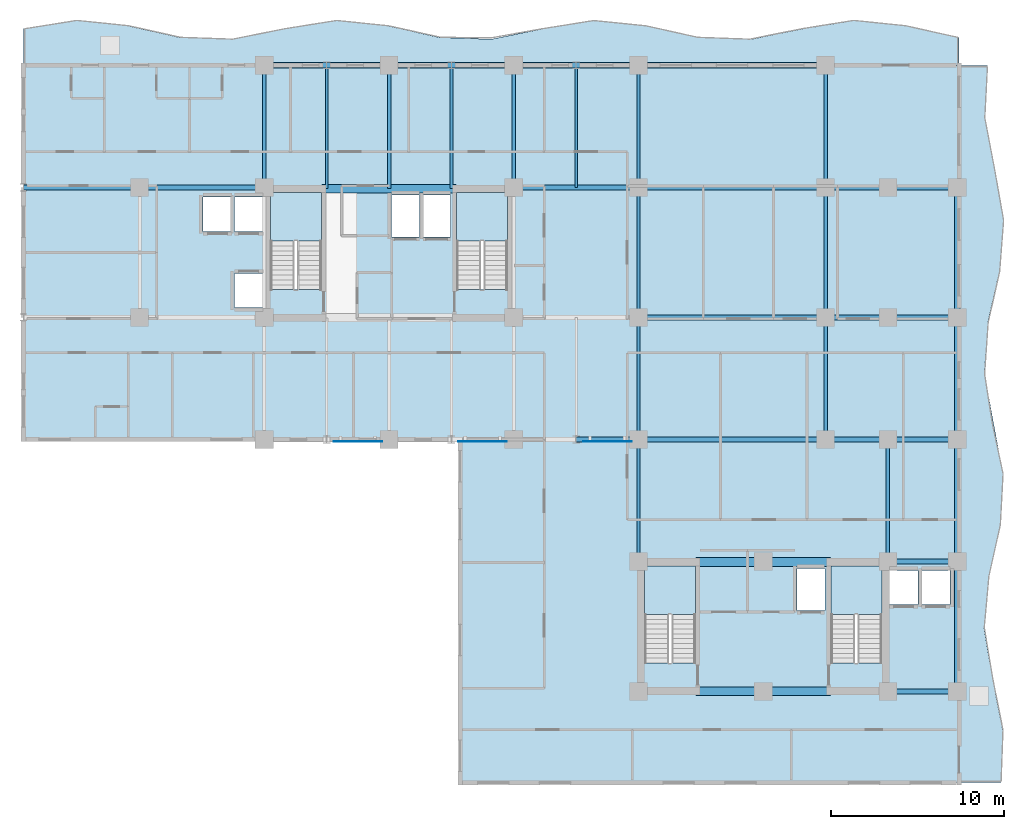
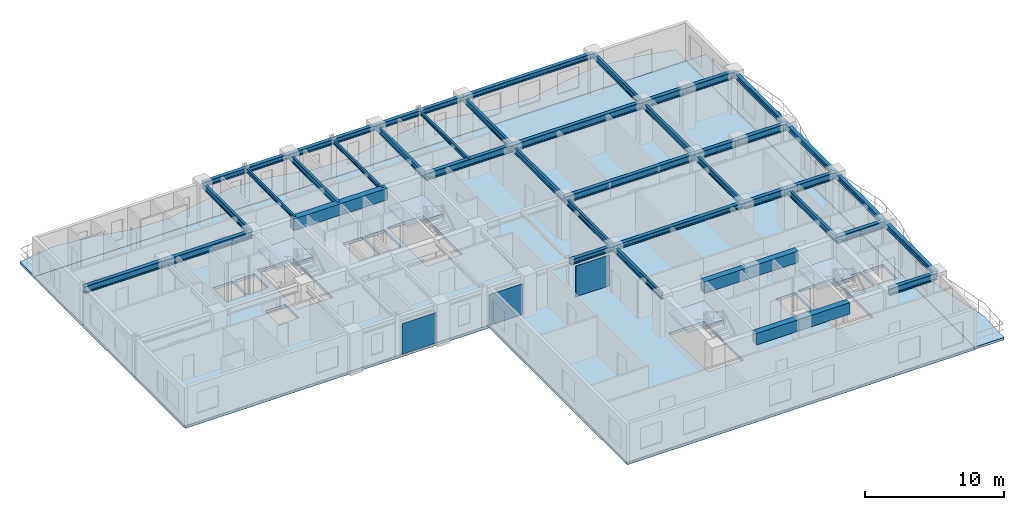
# One storey, part 3 of 13: 43 beams, 7 slabs, 3 plates, 4 elements without a shape of their own.
"""IFC4 building model written with IfcOpenShell, lengths in metres."""

from ifc_helpers import new_model, si_unit, direction, frame, origin, origin_2d, place, context, subcontext, project, spatial, polyline, rectangle, i_section, outline, extrude, source, transform, mapped, material, layer, layer_set, material_profile, profile_set, type_object, element, aggregate, save


model = new_model("IFC4")

# Units and contexts
model_context = context("Model", 3, precision=1e-05, world=origin(), true_north=direction((0.0, 1.0)))
body_context = subcontext(model_context, "Body", "Model", "MODEL_VIEW")
ifc_project = project(units=[si_unit("LENGTHUNIT", "METRE"), si_unit("AREAUNIT", "SQUARE_METRE"), si_unit("VOLUMEUNIT", "CUBIC_METRE"), si_unit("PLANEANGLEUNIT", "RADIAN"), si_unit("MASSUNIT", "GRAM", prefix="KILO")], contexts=[model_context])

# Site, building, storey
site_placement = place(None, origin())
site = spatial("IfcSite", under=ifc_project, at=site_placement, CompositionType="ELEMENT")
building_placement = place(site_placement, origin())
building = spatial("IfcBuilding", under=site, at=building_placement, Name="Kaliganga Portal Commons", CompositionType="ELEMENT")
storey_placement = place(building_placement, frame((0.0, 0.0, 158.699951171875)))
storey = spatial("IfcBuildingStorey", under=building, at=storey_placement, Name="L40", CompositionType="ELEMENT", Elevation=158.699951171875)

# Beams
ifc_material_1 = material(Name="Concrete C50/60", Category="concrete")
ifc_material_profile_1 = material_profile(ifc_material_1, rectangle(XDim=0.5, YDim=1.0, at=origin_2d()), Name="RC 500x1000")
ifc_profile_set_1 = profile_set([ifc_material_profile_1], Name="Concrete C50/60")
beam_type_1 = type_object("IfcBeamType", Name="BM-CPL-1000", PredefinedType="LINTEL", material=ifc_profile_set_1)
shared_shape_1 = source(origin(), body_context, "Body", "SweptSolid", [
    extrude(rectangle(XDim=0.5, YDim=1.0, at=origin_2d()), origin(), (0.0, 0.0, 1.0), 7.739990234375),
])
for number, where, z_axis, x_axis, name in (
    (1, (17.72998046875, 36.074951171875, 2.9599609375), (1.0, 0.0, 0.0), (0.0, 1.0, 0.0), "BM CPL COREA L40 N"),
    (2, (39.330078125, 7.074951171875, 2.9599609375), (1.0, 0.0, 0.0), (0.0, 1.0, 0.0), "BM CPL COREB L40 S"),
    (3, (39.330078125, 14.52490234375, 2.9599609375), (1.0, 0.0, 0.0), (0.0, 1.0, 0.0), "BM CPL COREB L40 N"),
):
    element("IfcBeam", number, at=place(storey_placement, frame(where, z_axis=z_axis, x_axis=x_axis)), inside=storey, type_object=beam_type_1, Name=name, PredefinedType="LINTEL", context=body_context, shape_type="MappedRepresentation", body=[
        mapped(shared_shape_1, transform((0.0, 0.0, 0.0), x_axis=(1.0, 0.0, 0.0), y_axis=(0.0, 1.0, 0.0), z_axis=(0.0, 0.0, 1.0), scale=1.0)),
    ])
ifc_material_2 = material(Name="Structural steel S355J2", Category="steel")
ifc_material_profile_2 = material_profile(ifc_material_2, i_section(OverallWidth=0.199951171875, OverallDepth=0.5, WebThickness=0.01025390625, FlangeThickness=0.01611328125, FilletRadius=0.02099609375, at=origin_2d()), Name="IPE 500")
ifc_profile_set_2 = profile_set([ifc_material_profile_2], Name="Structural steel S355J2 wide-flange")
beam_type_2 = type_object("IfcBeamType", Name="BM-FLR-500", PredefinedType="BEAM", material=ifc_profile_set_2)
shared_shape_2 = source(origin(), body_context, "Body", "SweptSolid", [
    extrude(i_section(OverallWidth=0.199951171875, OverallDepth=0.5, WebThickness=0.01025390625, FlangeThickness=0.01611328125, FilletRadius=0.02099609375, at=origin_2d()), origin(), (0.0, 0.0, 1.0), 7.5),
])
for number, where, z_axis, x_axis, name in (
    (4, (36.0, 28.64990234375, 3.2099609375), (0.0, 1.0, 0.0), (-1.0, 0.0, 0.0), "BM G L40 AM360"),
    (5, (46.800048828125, 28.64990234375, 3.2099609375), (0.0, 1.0, 0.0), (-1.0, 0.0, 0.0), "BM G L40 AM468"),
):
    element("IfcBeam", number, at=place(storey_placement, frame(where, z_axis=z_axis, x_axis=x_axis)), inside=storey, type_object=beam_type_2, Name=name, PredefinedType="BEAM", context=body_context, shape_type="MappedRepresentation", body=[
        mapped(shared_shape_2, transform((0.0, 0.0, 0.0), x_axis=(1.0, 0.0, 0.0), y_axis=(0.0, 1.0, 0.0), z_axis=(0.0, 0.0, 1.0), scale=1.0)),
    ])
shared_shape_3 = source(origin(), body_context, "Body", "SweptSolid", [
    extrude(i_section(OverallWidth=0.199951171875, OverallDepth=0.5, WebThickness=0.01025390625, FlangeThickness=0.01611328125, FilletRadius=0.02099609375, at=origin_2d()), origin(), (0.0, 0.0, 1.0), 7.050048828125),
])
for number, where, z_axis, x_axis, name in (
    (6, (14.39990234375, 36.14990234375, 3.2099609375), (0.0, 1.0, 0.0), (-1.0, 0.0, 0.0), "BM G L40 AN144"),
    (7, (28.800048828125, 36.14990234375, 3.2099609375), (0.0, 1.0, 0.0), (-1.0, 0.0, 0.0), "BM G L40 AN288"),
    (8, (36.0, 36.14990234375, 3.2099609375), (0.0, 1.0, 0.0), (-1.0, 0.0, 0.0), "BM G L40 AN360"),
    (9, (46.800048828125, 36.14990234375, 3.2099609375), (0.0, 1.0, 0.0), (-1.0, 0.0, 0.0), "BM G L40 AN468"),
    (10, (36.0, 14.550048828125, 3.2099609375), (0.0, 1.0, 0.0), (-1.0, 0.0, 0.0), "BM G L40 BNK360"),
    (11, (50.39990234375, 14.550048828125, 3.2099609375), (0.0, 1.0, 0.0), (-1.0, 0.0, 0.0), "BM G L40 BNK504"),
):
    element("IfcBeam", number, at=place(storey_placement, frame(where, z_axis=z_axis, x_axis=x_axis)), inside=storey, type_object=beam_type_2, Name=name, PredefinedType="BEAM", context=body_context, shape_type="MappedRepresentation", body=[
        mapped(shared_shape_3, transform((0.0, 0.0, 0.0), x_axis=(1.0, 0.0, 0.0), y_axis=(0.0, 1.0, 0.0), z_axis=(0.0, 0.0, 1.0), scale=1.0)),
    ])
shared_shape_4 = source(origin(), body_context, "Body", "SweptSolid", [
    extrude(i_section(OverallWidth=0.199951171875, OverallDepth=0.5, WebThickness=0.01025390625, FlangeThickness=0.01611328125, FilletRadius=0.02099609375, at=origin_2d()), origin(), (0.0, 0.0, 1.0), 7.0498046875),
])
for number, where, z_axis, x_axis, name in (
    (12, (36.0, 21.60009765625, 3.2099609375), (0.0, 1.0, 0.0), (-1.0, 0.0, 0.0), "BM G L40 AS360"),
    (13, (46.800048828125, 21.60009765625, 3.2099609375), (0.0, 1.0, 0.0), (-1.0, 0.0, 0.0), "BM G L40 AS468"),
):
    element("IfcBeam", number, at=place(storey_placement, frame(where, z_axis=z_axis, x_axis=x_axis)), inside=storey, type_object=beam_type_2, Name=name, PredefinedType="BEAM", context=body_context, shape_type="MappedRepresentation", body=[
        mapped(shared_shape_4, transform((0.0, 0.0, 0.0), x_axis=(1.0, 0.0, 0.0), y_axis=(0.0, 1.0, 0.0), z_axis=(0.0, 0.0, 1.0), scale=1.0)),
    ])
ifc_material_profile_3 = material_profile(ifc_material_2, i_section(OverallWidth=0.300048828125, OverallDepth=0.449951171875, WebThickness=0.013916015625, FlangeThickness=0.02587890625, FilletRadius=0.027099609375, at=origin_2d()), Name="HE 450 B")
ifc_profile_set_3 = profile_set([ifc_material_profile_3], Name="Structural steel S355J2 wide-flange")
beam_type_3 = type_object("IfcBeamType", Name="BM-SPAND-450", PredefinedType="SPANDREL", material=ifc_profile_set_3)
shared_shape_5 = source(origin(), body_context, "Body", "SweptSolid", [
    extrude(i_section(OverallWidth=0.300048828125, OverallDepth=0.449951171875, WebThickness=0.013916015625, FlangeThickness=0.02587890625, FilletRadius=0.027099609375, at=origin_2d()), origin(), (0.0, 0.0, 1.0), 3.60009765625),
])
for number, where, z_axis, x_axis, name in (
    (14, (14.39990234375, 43.199951171875, 3.235107421875), (1.0, 0.0, 0.0), (0.0, 1.0, 0.0), "BM SP L40 AN 1"),
    (15, (18.0, 43.199951171875, 3.235107421875), (1.0, 0.0, 0.0), (0.0, 1.0, 0.0), "BM SP L40 AN 2"),
    (16, (25.199951171875, 43.199951171875, 3.235107421875), (1.0, 0.0, 0.0), (0.0, 1.0, 0.0), "BM SP L40 AN 4"),
    (17, (32.39990234375, 43.199951171875, 3.235107421875), (1.0, 0.0, 0.0), (0.0, 1.0, 0.0), "BM SP L40 AN 6"),
    (18, (32.39990234375, 21.60009765625, 3.235107421875), (1.0, 0.0, 0.0), (0.0, 1.0, 0.0), "BM SP L40 AS 6"),
):
    element("IfcBeam", number, at=place(storey_placement, frame(where, z_axis=z_axis, x_axis=x_axis)), inside=storey, type_object=beam_type_3, Name=name, PredefinedType="SPANDREL", context=body_context, shape_type="MappedRepresentation", body=[
        mapped(shared_shape_5, transform((0.0, 0.0, 0.0), x_axis=(1.0, 0.0, 0.0), y_axis=(0.0, 1.0, 0.0), z_axis=(0.0, 0.0, 1.0), scale=1.0)),
    ])
shared_shape_6 = source(origin(), body_context, "Body", "SweptSolid", [
    extrude(i_section(OverallWidth=0.300048828125, OverallDepth=0.449951171875, WebThickness=0.013916015625, FlangeThickness=0.02587890625, FilletRadius=0.027099609375, at=origin_2d()), origin(), (0.0, 0.0, 1.0), 3.599853515625),
])
for number, where, z_axis, x_axis, name in (
    (19, (21.60009765625, 43.199951171875, 3.235107421875), (1.0, 0.0, 0.0), (0.0, 1.0, 0.0), "BM SP L40 AN 3"),
    (20, (28.800048828125, 43.199951171875, 3.235107421875), (1.0, 0.0, 0.0), (0.0, 1.0, 0.0), "BM SP L40 AN 5"),
):
    element("IfcBeam", number, at=place(storey_placement, frame(where, z_axis=z_axis, x_axis=x_axis)), inside=storey, type_object=beam_type_3, Name=name, PredefinedType="SPANDREL", context=body_context, shape_type="MappedRepresentation", body=[
        mapped(shared_shape_6, transform((0.0, 0.0, 0.0), x_axis=(1.0, 0.0, 0.0), y_axis=(0.0, 1.0, 0.0), z_axis=(0.0, 0.0, 1.0), scale=1.0)),
    ])
shared_shape_7 = source(origin(), body_context, "Body", "SweptSolid", [
    extrude(i_section(OverallWidth=0.300048828125, OverallDepth=0.449951171875, WebThickness=0.013916015625, FlangeThickness=0.02587890625, FilletRadius=0.027099609375, at=origin_2d()), origin(), (0.0, 0.0, 1.0), 10.800048828125),
])
for number, where, z_axis, x_axis, name in (
    (21, (36.0, 43.199951171875, 3.235107421875), (1.0, 0.0, 0.0), (0.0, 1.0, 0.0), "BM SP L40 AN 7"),
    (22, (36.0, 21.60009765625, 3.235107421875), (1.0, 0.0, 0.0), (0.0, 1.0, 0.0), "BM SP L40 AS 7"),
):
    element("IfcBeam", number, at=place(storey_placement, frame(where, z_axis=z_axis, x_axis=x_axis)), inside=storey, type_object=beam_type_3, Name=name, PredefinedType="SPANDREL", context=body_context, shape_type="MappedRepresentation", body=[
        mapped(shared_shape_7, transform((0.0, 0.0, 0.0), x_axis=(1.0, 0.0, 0.0), y_axis=(0.0, 1.0, 0.0), z_axis=(0.0, 0.0, 1.0), scale=1.0)),
    ])
ifc_material_profile_4 = material_profile(ifc_material_2, i_section(OverallWidth=0.159912109375, OverallDepth=0.330078125, WebThickness=0.007568359375, FlangeThickness=0.011474609375, FilletRadius=0.01806640625, at=origin_2d()), Name="IPE 330")
ifc_profile_set_4 = profile_set([ifc_material_profile_4], Name="Structural steel S355J2 wide-flange")
beam_type_4 = type_object("IfcBeamType", Name="BM-JST-330", PredefinedType="JOIST", material=ifc_profile_set_4)
shared_shape_8 = source(origin(), body_context, "Body", "SweptSolid", [
    extrude(i_section(OverallWidth=0.159912109375, OverallDepth=0.330078125, WebThickness=0.007568359375, FlangeThickness=0.011474609375, FilletRadius=0.01806640625, at=origin_2d()), origin(), (0.0, 0.0, 1.0), 7.050048828125),
])
beam_1_placement = place(storey_placement, frame((32.39990234375, 36.14990234375, 3.295166015625), z_axis=(0.0, 1.0, 0.0), x_axis=(-1.0, 0.0, 0.0)))
element("IfcBeam", 23, at=beam_1_placement, inside=storey, type_object=beam_type_4, Name="BM G L40 AN324", PredefinedType="JOIST", context=body_context, shape_type="MappedRepresentation", body=[
    mapped(shared_shape_8, transform((0.0, 0.0, 0.0), x_axis=(1.0, 0.0, 0.0), y_axis=(0.0, 1.0, 0.0), z_axis=(0.0, 0.0, 1.0), scale=1.0)),
])
shared_shape_9 = source(origin(), body_context, "Body", "SweptSolid", [
    extrude(i_section(OverallWidth=0.300048828125, OverallDepth=0.449951171875, WebThickness=0.013916015625, FlangeThickness=0.02587890625, FilletRadius=0.027099609375, at=origin_2d()), origin(), (0.0, 0.0, 1.0), 7.5),
])
for number, where, z_axis, x_axis, name in (
    (24, (54.39990234375, 7.050048828125, 3.235107421875), (0.0, 1.0, 0.0), (-1.0, 0.0, 0.0), "BM SP L40 BE 1"),
    (25, (54.39990234375, 28.64990234375, 3.235107421875), (0.0, 1.0, 0.0), (-1.0, 0.0, 0.0), "BM SP L40 BE 4"),
):
    element("IfcBeam", number, at=place(storey_placement, frame(where, z_axis=z_axis, x_axis=x_axis)), inside=storey, type_object=beam_type_3, Name=name, PredefinedType="SPANDREL", context=body_context, shape_type="MappedRepresentation", body=[
        mapped(shared_shape_9, transform((0.0, 0.0, 0.0), x_axis=(1.0, 0.0, 0.0), y_axis=(0.0, 1.0, 0.0), z_axis=(0.0, 0.0, 1.0), scale=1.0)),
    ])
shared_shape_10 = source(origin(), body_context, "Body", "SweptSolid", [
    extrude(i_section(OverallWidth=0.300048828125, OverallDepth=0.449951171875, WebThickness=0.013916015625, FlangeThickness=0.02587890625, FilletRadius=0.027099609375, at=origin_2d()), origin(), (0.0, 0.0, 1.0), 7.050048828125),
])
beam_2_placement = place(storey_placement, frame((54.39990234375, 14.550048828125, 3.235107421875), z_axis=(0.0, 1.0, 0.0), x_axis=(-1.0, 0.0, 0.0)))
element("IfcBeam", 26, at=beam_2_placement, inside=storey, type_object=beam_type_3, Name="BM SP L40 BE 2", PredefinedType="SPANDREL", context=body_context, shape_type="MappedRepresentation", body=[
    mapped(shared_shape_10, transform((0.0, 0.0, 0.0), x_axis=(1.0, 0.0, 0.0), y_axis=(0.0, 1.0, 0.0), z_axis=(0.0, 0.0, 1.0), scale=1.0)),
])
shared_shape_11 = source(origin(), body_context, "Body", "SweptSolid", [
    extrude(i_section(OverallWidth=0.300048828125, OverallDepth=0.449951171875, WebThickness=0.013916015625, FlangeThickness=0.02587890625, FilletRadius=0.027099609375, at=origin_2d()), origin(), (0.0, 0.0, 1.0), 7.0498046875),
])
beam_3_placement = place(storey_placement, frame((54.39990234375, 21.60009765625, 3.235107421875), z_axis=(0.0, 1.0, 0.0), x_axis=(-1.0, 0.0, 0.0)))
element("IfcBeam", 27, at=beam_3_placement, inside=storey, type_object=beam_type_3, Name="BM SP L40 BE 3", PredefinedType="SPANDREL", context=body_context, shape_type="MappedRepresentation", body=[
    mapped(shared_shape_11, transform((0.0, 0.0, 0.0), x_axis=(1.0, 0.0, 0.0), y_axis=(0.0, 1.0, 0.0), z_axis=(0.0, 0.0, 1.0), scale=1.0)),
])
ifc_material_profile_5 = material_profile(ifc_material_2, i_section(OverallWidth=0.300048828125, OverallDepth=0.60009765625, WebThickness=0.015380859375, FlangeThickness=0.030029296875, FilletRadius=0.027099609375, at=origin_2d()), Name="HE 600 B")
ifc_profile_set_5 = profile_set([ifc_material_profile_5], Name="Structural steel S355J2 wide-flange")
beam_type_5 = type_object("IfcBeamType", Name="BM-GIRD-600", PredefinedType="USERDEFINED", material=ifc_profile_set_5)
shared_shape_12 = source(origin(), body_context, "Body", "SweptSolid", [
    extrude(i_section(OverallWidth=0.300048828125, OverallDepth=0.60009765625, WebThickness=0.015380859375, FlangeThickness=0.030029296875, FilletRadius=0.027099609375, at=origin_2d()), origin(), (0.0, 0.0, 1.0), 6.699951171875),
])
beam_4_placement = place(storey_placement, frame((0.5, 36.14990234375, 3.16015625), z_axis=(1.0, 0.0, 0.0), x_axis=(0.0, 1.0, 0.0)))
element("IfcBeam", 28, at=beam_4_placement, inside=storey, type_object=beam_type_5, Name="BM G L40 WAH_N 1", ObjectType="GIRDER", PredefinedType="USERDEFINED", context=body_context, shape_type="MappedRepresentation", body=[
    mapped(shared_shape_12, transform((0.0, 0.0, 0.0), x_axis=(1.0, 0.0, 0.0), y_axis=(0.0, 1.0, 0.0), z_axis=(0.0, 0.0, 1.0), scale=1.0)),
])
shared_shape_13 = source(origin(), body_context, "Body", "SweptSolid", [
    extrude(i_section(OverallWidth=0.300048828125, OverallDepth=0.60009765625, WebThickness=0.015380859375, FlangeThickness=0.030029296875, FilletRadius=0.027099609375, at=origin_2d()), origin(), (0.0, 0.0, 1.0), 7.199951171875),
])
for number, where, z_axis, x_axis, name in (
    (29, (7.199951171875, 36.14990234375, 3.16015625), (1.0, 0.0, 0.0), (0.0, 1.0, 0.0), "BM G L40 WAH_N 2"),
    (30, (28.800048828125, 36.14990234375, 3.16015625), (1.0, 0.0, 0.0), (0.0, 1.0, 0.0), "BM G L40 WAE_N 1"),
):
    element("IfcBeam", number, at=place(storey_placement, frame(where, z_axis=z_axis, x_axis=x_axis)), inside=storey, type_object=beam_type_5, Name=name, ObjectType="GIRDER", PredefinedType="USERDEFINED", context=body_context, shape_type="MappedRepresentation", body=[
        mapped(shared_shape_13, transform((0.0, 0.0, 0.0), x_axis=(1.0, 0.0, 0.0), y_axis=(0.0, 1.0, 0.0), z_axis=(0.0, 0.0, 1.0), scale=1.0)),
    ])
shared_shape_14 = source(origin(), body_context, "Body", "SweptSolid", [
    extrude(i_section(OverallWidth=0.300048828125, OverallDepth=0.60009765625, WebThickness=0.015380859375, FlangeThickness=0.030029296875, FilletRadius=0.027099609375, at=origin_2d()), origin(), (0.0, 0.0, 1.0), 10.800048828125),
])
for number, where, z_axis, x_axis, name in (
    (31, (36.0, 28.64990234375, 3.16015625), (1.0, 0.0, 0.0), (0.0, 1.0, 0.0), "BM G L40 WAE_S 2"),
    (32, (36.0, 36.14990234375, 3.16015625), (1.0, 0.0, 0.0), (0.0, 1.0, 0.0), "BM G L40 WAE_N 2"),
):
    element("IfcBeam", number, at=place(storey_placement, frame(where, z_axis=z_axis, x_axis=x_axis)), inside=storey, type_object=beam_type_5, Name=name, ObjectType="GIRDER", PredefinedType="USERDEFINED", context=body_context, shape_type="MappedRepresentation", body=[
        mapped(shared_shape_14, transform((0.0, 0.0, 0.0), x_axis=(1.0, 0.0, 0.0), y_axis=(0.0, 1.0, 0.0), z_axis=(0.0, 0.0, 1.0), scale=1.0)),
    ])
shared_shape_15 = source(origin(), body_context, "Body", "SweptSolid", [
    extrude(i_section(OverallWidth=0.159912109375, OverallDepth=0.330078125, WebThickness=0.007568359375, FlangeThickness=0.011474609375, FilletRadius=0.01806640625, at=origin_2d()), origin(), (0.0, 0.0, 1.0), 7.125),
])
for number, where, z_axis, x_axis, name in (
    (33, (18.0, 36.074951171875, 3.295166015625), (0.0, 1.0, 0.0), (-1.0, 0.0, 0.0), "BM G L40 AN180"),
    (34, (25.199951171875, 36.074951171875, 3.295166015625), (0.0, 1.0, 0.0), (-1.0, 0.0, 0.0), "BM G L40 AN252"),
):
    element("IfcBeam", number, at=place(storey_placement, frame(where, z_axis=z_axis, x_axis=x_axis)), inside=storey, type_object=beam_type_4, Name=name, PredefinedType="JOIST", context=body_context, shape_type="MappedRepresentation", body=[
        mapped(shared_shape_15, transform((0.0, 0.0, 0.0), x_axis=(1.0, 0.0, 0.0), y_axis=(0.0, 1.0, 0.0), z_axis=(0.0, 0.0, 1.0), scale=1.0)),
    ])
shared_shape_16 = source(origin(), body_context, "Body", "SweptSolid", [
    extrude(i_section(OverallWidth=0.199951171875, OverallDepth=0.5, WebThickness=0.01025390625, FlangeThickness=0.01611328125, FilletRadius=0.02099609375, at=origin_2d()), origin(), (0.0, 0.0, 1.0), 7.125),
])
beam_5_placement = place(storey_placement, frame((21.60009765625, 36.074951171875, 3.2099609375), z_axis=(0.0, 1.0, 0.0), x_axis=(-1.0, 0.0, 0.0)))
element("IfcBeam", 35, at=beam_5_placement, inside=storey, type_object=beam_type_2, Name="BM G L40 AN216", PredefinedType="BEAM", context=body_context, shape_type="MappedRepresentation", body=[
    mapped(shared_shape_16, transform((0.0, 0.0, 0.0), x_axis=(1.0, 0.0, 0.0), y_axis=(0.0, 1.0, 0.0), z_axis=(0.0, 0.0, 1.0), scale=1.0)),
])
shared_shape_17 = source(origin(), body_context, "Body", "SweptSolid", [
    extrude(i_section(OverallWidth=0.300048828125, OverallDepth=0.60009765625, WebThickness=0.015380859375, FlangeThickness=0.030029296875, FilletRadius=0.027099609375, at=origin_2d()), origin(), (0.0, 0.0, 1.0), 4.0),
])
for number, where, z_axis, x_axis, name in (
    (36, (50.39990234375, 7.050048828125, 3.16015625), (1.0, 0.0, 0.0), (0.0, 1.0, 0.0), "BM G L40 BKE70 1"),
    (37, (50.39990234375, 14.550048828125, 3.16015625), (1.0, 0.0, 0.0), (0.0, 1.0, 0.0), "BM G L40 BKE146 1"),
    (38, (50.39990234375, 21.60009765625, 3.16015625), (1.0, 0.0, 0.0), (0.0, 1.0, 0.0), "BM G L40 BKE216 2"),
    (39, (50.39990234375, 28.64990234375, 3.16015625), (1.0, 0.0, 0.0), (0.0, 1.0, 0.0), "BM G L40 BKE286 2"),
    (40, (50.39990234375, 36.14990234375, 3.16015625), (1.0, 0.0, 0.0), (0.0, 1.0, 0.0), "BM G L40 BKE362 2"),
):
    element("IfcBeam", number, at=place(storey_placement, frame(where, z_axis=z_axis, x_axis=x_axis)), inside=storey, type_object=beam_type_5, Name=name, ObjectType="GIRDER", PredefinedType="USERDEFINED", context=body_context, shape_type="MappedRepresentation", body=[
        mapped(shared_shape_17, transform((0.0, 0.0, 0.0), x_axis=(1.0, 0.0, 0.0), y_axis=(0.0, 1.0, 0.0), z_axis=(0.0, 0.0, 1.0), scale=1.0)),
    ])
shared_shape_18 = source(origin(), body_context, "Body", "SweptSolid", [
    extrude(i_section(OverallWidth=0.300048828125, OverallDepth=0.60009765625, WebThickness=0.015380859375, FlangeThickness=0.030029296875, FilletRadius=0.027099609375, at=origin_2d()), origin(), (0.0, 0.0, 1.0), 3.599853515625),
])
for number, where, z_axis, x_axis, name in (
    (41, (46.800048828125, 21.60009765625, 3.16015625), (1.0, 0.0, 0.0), (0.0, 1.0, 0.0), "BM G L40 BKE216 1"),
    (42, (46.800048828125, 28.64990234375, 3.16015625), (1.0, 0.0, 0.0), (0.0, 1.0, 0.0), "BM G L40 BKE286 1"),
    (43, (46.800048828125, 36.14990234375, 3.16015625), (1.0, 0.0, 0.0), (0.0, 1.0, 0.0), "BM G L40 BKE362 1"),
):
    element("IfcBeam", number, at=place(storey_placement, frame(where, z_axis=z_axis, x_axis=x_axis)), inside=storey, type_object=beam_type_5, Name=name, ObjectType="GIRDER", PredefinedType="USERDEFINED", context=body_context, shape_type="MappedRepresentation", body=[
        mapped(shared_shape_18, transform((0.0, 0.0, 0.0), x_axis=(1.0, 0.0, 0.0), y_axis=(0.0, 1.0, 0.0), z_axis=(0.0, 0.0, 1.0), scale=1.0)),
    ])

# Slabs
ifc_material_3 = material(Name="Concrete C40/50", Category="concrete")
ifc_layer_1 = layer(ifc_material_3, 0.2099609375)
ifc_layer_set_1 = layer_set([ifc_layer_1], Name="Concrete C40/50")
slab_type_1 = type_object("IfcSlabType", Name="SLB-BALC-210", PredefinedType="FLOOR", material=ifc_layer_set_1)
slab_1_placement = place(storey_placement, frame((0.0, 0.0, -0.2099609375)))
element("IfcSlab", 44, at=slab_1_placement, inside=storey, type_object=slab_type_1, Name="Scalloped Tree-Planter Balcony Slab L40 balc_north", PredefinedType="FLOOR", context=body_context, shape_type="SweptSolid", body=[
    extrude(outline(polyline([(54.5, 43.199951171875), (54.5, 44.8125), (51.5, 45.484130859375), (48.5, 45.79296875), (45.5, 45.31201171875), (42.5, 44.7060546875), (39.5, 44.8125), (36.5, 45.484130859375), (33.5, 45.79296875), (30.5, 45.31201171875), (27.5, 44.7060546875), (24.5, 44.8125), (21.5, 45.484130859375), (18.5, 45.79296875), (15.5, 45.31201171875), (12.5, 44.7060546875), (9.5, 44.8125), (6.5, 45.484130859375), (3.5, 45.79296875), (0.5, 45.31201171875), (0.5, 43.199951171875), (54.5, 43.199951171875)])), origin(), (0.0, 0.0, 1.0), 0.2099609375),
])
slab_2_placement = place(storey_placement, frame((0.0, 0.0, -0.2099609375)))
element("IfcSlab", 45, at=slab_2_placement, inside=storey, type_object=slab_type_1, Name="Scalloped Tree-Planter Balcony Slab L40 balc_east", PredefinedType="FLOOR", context=body_context, shape_type="SweptSolid", body=[
    extrude(outline(polyline([(54.5, 1.800048828125), (56.930419921875, 1.800048828125), (57.04150390625, 4.757080078125), (56.451416015625, 7.71435546875), (55.955810546875, 10.67138671875), (56.222412109375, 13.628662109375), (56.89208984375, 16.585693359375), (57.062255859375, 19.54296875), (56.50341796875, 22.5), (55.968994140625, 25.45703125), (56.17919921875, 28.414306640625), (56.850830078125, 31.371337890625), (57.07861328125, 34.32861328125), (56.55517578125, 37.28564453125), (55.986328125, 40.242919921875), (56.138916015625, 43.199951171875), (54.5, 43.199951171875), (54.5, 1.800048828125)])), origin(), (0.0, 0.0, 1.0), 0.2099609375),
])

# Stair, slab
stair_type = type_object("IfcStairType", Name="ST-CORE-DOGLEG", PredefinedType="HALF_TURN_STAIR", material=ifc_material_3)
stair_1_placement = place(storey_placement, origin())
stair_1 = element("IfcStair", 46, at=stair_1_placement, inside=storey, type_object=stair_type, Name="L40 Protected Exit Stair ST-A1", PredefinedType="HALF_TURN_STAIR")
ifc_layer_2 = layer(ifc_material_3, 0.199951171875)
ifc_layer_set_2 = layer_set([ifc_layer_2], Name="Concrete C40/50")
slab_type_2 = type_object("IfcSlabType", Name="SLB-STAIR-LND", PredefinedType="LANDING", material=ifc_layer_set_2)
slab_3_placement = place(storey_placement, frame((0.0, 0.0, 1.650146484375)))
slab_3 = element("IfcSlab", 47, at=slab_3_placement, type_object=slab_type_2, Name="ST-A1 landing 1", PredefinedType="LANDING", context=body_context, shape_type="SweptSolid", body=[
    extrude(outline(polyline([(17.699951171875, 33.050048828125), (17.699951171875, 35.85009765625), (14.75, 35.85009765625), (14.75, 33.050048828125), (17.699951171875, 33.050048828125)])), origin(), (0.0, 0.0, 1.0), 0.199951171875),
])
aggregate(stair_1, [slab_3])

stair_2_placement = place(storey_placement, origin())
stair_2 = element("IfcStair", 48, at=stair_2_placement, inside=storey, type_object=stair_type, Name="L40 Protected Exit Stair ST-A2", PredefinedType="HALF_TURN_STAIR")
slab_4_placement = place(storey_placement, frame((0.0, 0.0, 1.650146484375)))
slab_4 = element("IfcSlab", 49, at=slab_4_placement, type_object=slab_type_2, Name="ST-A2 landing 1", PredefinedType="LANDING", context=body_context, shape_type="SweptSolid", body=[
    extrude(outline(polyline([(28.449951171875, 33.050048828125), (28.449951171875, 35.85009765625), (25.5, 35.85009765625), (25.5, 33.050048828125), (28.449951171875, 33.050048828125)])), origin(), (0.0, 0.0, 1.0), 0.199951171875),
])
aggregate(stair_2, [slab_4])

stair_3_placement = place(storey_placement, origin())
stair_3 = element("IfcStair", 50, at=stair_3_placement, inside=storey, type_object=stair_type, Name="L40 Protected Exit Stair ST-B1", PredefinedType="HALF_TURN_STAIR")
slab_5_placement = place(storey_placement, frame((0.0, 0.0, 1.650146484375)))
slab_5 = element("IfcSlab", 51, at=slab_5_placement, type_object=slab_type_2, Name="ST-B1 landing 1", PredefinedType="LANDING", context=body_context, shape_type="SweptSolid", body=[
    extrude(outline(polyline([(39.300048828125, 11.5), (39.300048828125, 14.300048828125), (36.35009765625, 14.300048828125), (36.35009765625, 11.5), (39.300048828125, 11.5)])), origin(), (0.0, 0.0, 1.0), 0.199951171875),
])
aggregate(stair_3, [slab_5])

stair_4_placement = place(storey_placement, origin())
stair_4 = element("IfcStair", 52, at=stair_4_placement, inside=storey, type_object=stair_type, Name="L40 Protected Exit Stair ST-B2", PredefinedType="HALF_TURN_STAIR")
slab_6_placement = place(storey_placement, frame((0.0, 0.0, 1.650146484375)))
slab_6 = element("IfcSlab", 53, at=slab_6_placement, type_object=slab_type_2, Name="ST-B2 landing 1", PredefinedType="LANDING", context=body_context, shape_type="SweptSolid", body=[
    extrude(outline(polyline([(50.050048828125, 11.5), (50.050048828125, 14.300048828125), (47.10009765625, 14.300048828125), (47.10009765625, 11.5), (50.050048828125, 11.5)])), origin(), (0.0, 0.0, 1.0), 0.199951171875),
])
aggregate(stair_4, [slab_6])

# Slab
ifc_layer_3 = layer(ifc_material_3, 0.239990234375)
ifc_layer_set_3 = layer_set([ifc_layer_3], Name="Concrete C40/50")
slab_type_3 = type_object("IfcSlabType", Name="SLB-TWR-240", PredefinedType="FLOOR", material=ifc_layer_set_3)
slab_7_placement = place(storey_placement, frame((0.0, 0.0, -0.239990234375)))
element("IfcSlab", 54, at=slab_7_placement, inside=storey, type_object=slab_type_3, Name="Structural Floor Slab L40", PredefinedType="FLOOR", context=body_context, shape_type="SweptSolid", body=[
    extrude(outline(polyline([(25.699951171875, 1.800048828125), (54.5, 1.800048828125), (54.5, 43.199951171875), (0.5, 43.199951171875), (0.5, 21.60009765625), (25.699951171875, 21.60009765625), (25.699951171875, 1.800048828125)]), holes=[polyline([(14.75, 30.25390625), (14.75, 35.85009765625), (17.699951171875, 35.85009765625), (17.699951171875, 30.25390625), (14.75, 30.25390625)]), polyline([(25.5, 30.25390625), (25.5, 35.85009765625), (28.449951171875, 35.85009765625), (28.449951171875, 30.25390625), (25.5, 30.25390625)]), polyline([(36.35009765625, 8.7041015625), (36.35009765625, 14.300048828125), (39.300048828125, 14.300048828125), (39.300048828125, 8.7041015625), (36.35009765625, 8.7041015625)]), polyline([(47.10009765625, 8.7041015625), (47.10009765625, 14.300048828125), (50.050048828125, 14.300048828125), (50.050048828125, 8.7041015625), (47.10009765625, 8.7041015625)]), polyline([(12.6650390625, 33.614990234375), (12.6650390625, 35.5849609375), (14.3349609375, 35.5849609375), (14.3349609375, 33.614990234375), (12.6650390625, 33.614990234375)]), polyline([(12.6650390625, 29.215087890625), (12.6650390625, 31.18505859375), (14.3349609375, 31.18505859375), (14.3349609375, 29.215087890625), (12.6650390625, 29.215087890625)]), polyline([(10.864990234375, 33.614990234375), (10.864990234375, 35.5849609375), (12.534912109375, 35.5849609375), (12.534912109375, 33.614990234375), (10.864990234375, 33.614990234375)]), polyline([(21.739990234375, 33.2900390625), (21.739990234375, 35.7099609375), (23.360107421875, 35.7099609375), (23.360107421875, 33.2900390625), (21.739990234375, 33.2900390625)]), polyline([(23.5400390625, 33.2900390625), (23.5400390625, 35.7099609375), (25.159912109375, 35.7099609375), (25.159912109375, 33.2900390625), (23.5400390625, 33.2900390625)]), polyline([(50.465087890625, 12.06494140625), (50.465087890625, 14.034912109375), (52.135009765625, 14.034912109375), (52.135009765625, 12.06494140625), (50.465087890625, 12.06494140625)]), polyline([(52.31494140625, 12.06494140625), (52.31494140625, 14.034912109375), (53.985107421875, 14.034912109375), (53.985107421875, 12.06494140625), (52.31494140625, 12.06494140625)]), polyline([(45.139892578125, 11.739990234375), (45.139892578125, 14.159912109375), (46.760009765625, 14.159912109375), (46.760009765625, 11.739990234375), (45.139892578125, 11.739990234375)])]), origin(), (0.0, 0.0, 1.0), 0.239990234375),
])

# Plates
ifc_material_4 = material(Name="Perforated Bronze-Anodized Aluminium Solar Screen", Category="aluminium")
ifc_layer_4 = layer(ifc_material_4, 0.01806640625)
ifc_layer_set_4 = layer_set([ifc_layer_4], Name="Perforated Bronze-Anodized Aluminium Solar Screen")
plate_type = type_object("IfcPlateType", Name="PLT-SCR-18", PredefinedType="USERDEFINED", material=ifc_layer_set_4)
shared_shape_19 = source(origin(), body_context, "Body", "SweptSolid", [
    extrude(rectangle(XDim=2.800048828125, YDim=0.01806640625, at=origin_2d()), origin(), (0.0, 0.0, 1.0), 2.68994140625),
])
for number, where, z_axis, x_axis, name in (
    (55, (19.800048828125, 21.47998046875, 0.080078125), (0.0, 0.0, 1.0), (1.0, 0.0, 0.0), "Perforated Solar Screen L40-S1"),
    (56, (27.0, 21.47998046875, 0.080078125), (0.0, 0.0, 1.0), (1.0, 0.0, 0.0), "Perforated Solar Screen L40-S2"),
    (57, (34.199951171875, 21.47998046875, 0.080078125), (0.0, 0.0, 1.0), (1.0, 0.0, 0.0), "Perforated Solar Screen L40-S3"),
):
    element("IfcPlate", number, at=place(storey_placement, frame(where, z_axis=z_axis, x_axis=x_axis)), inside=storey, type_object=plate_type, Name=name, ObjectType="SOLAR SCREEN", PredefinedType="USERDEFINED", context=body_context, shape_type="MappedRepresentation", body=[
        mapped(shared_shape_19, transform((0.0, 0.0, 0.0), x_axis=(1.0, 0.0, 0.0), y_axis=(0.0, 1.0, 0.0), z_axis=(0.0, 0.0, 1.0), scale=1.0)),
    ])

save(model, "model.ifc")
